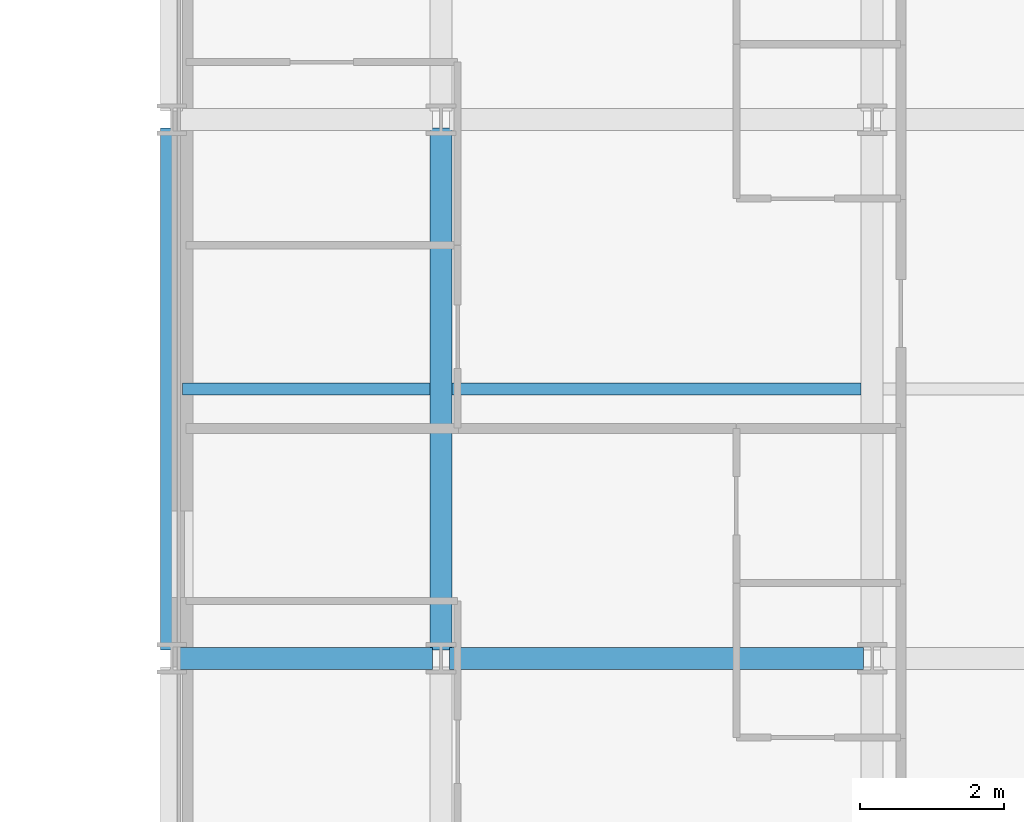
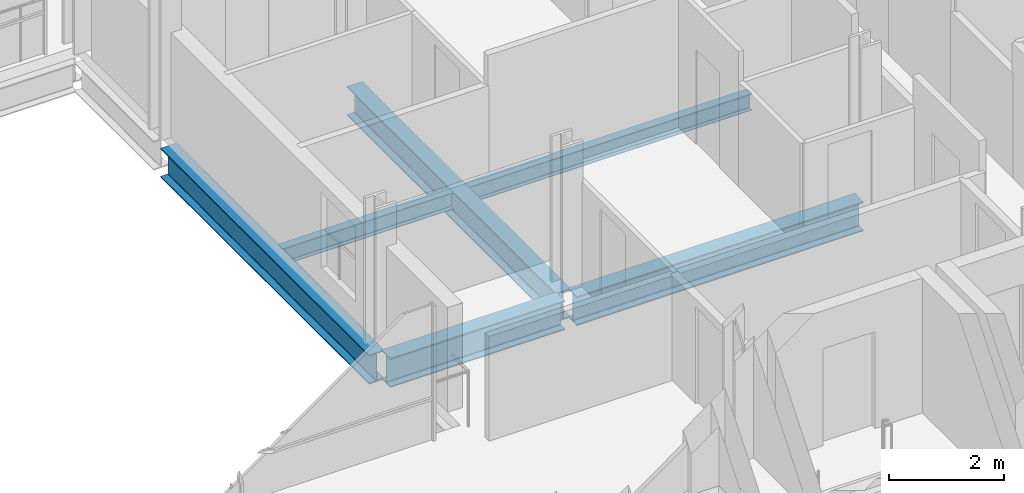
# One storey, part 16 of 40: 6 beams.
"""IFC4 building model written with IfcOpenShell, lengths in metres."""

from ifc_helpers import new_model, si_unit, direction, frame, origin, origin_2d, place, context, subcontext, project, spatial, i_section, extrude, material, material_profile, profile_set, type_object, element, save


model = new_model("IFC4")

# Units and contexts
model_context = context("Model", 3, precision=1e-05, world=origin(), true_north=direction((0.0, 1.0)))
body_context = subcontext(model_context, "Body", "Model", "MODEL_VIEW")
ifc_project = project(units=[si_unit("LENGTHUNIT", "METRE"), si_unit("AREAUNIT", "SQUARE_METRE"), si_unit("VOLUMEUNIT", "CUBIC_METRE"), si_unit("PLANEANGLEUNIT", "RADIAN"), si_unit("MASSUNIT", "GRAM", prefix="KILO")], contexts=[model_context])

# Site, building, storey
site_placement = place(None, origin())
site = spatial("IfcSite", under=ifc_project, at=site_placement, CompositionType="ELEMENT")
building_placement = place(site_placement, origin())
building = spatial("IfcBuilding", under=site, at=building_placement, Name="Brevholm Reach", CompositionType="ELEMENT")
storey_placement = place(building_placement, frame((0.0, 0.0, 80.699951171875)))
storey = spatial("IfcBuildingStorey", under=building, at=storey_placement, Name="L23", CompositionType="ELEMENT", Elevation=80.699951171875)

# Beams
ifc_material_1 = material(Name="Structural Steel S355J2", Category="steel")
ifc_material_profile_1 = material_profile(ifc_material_1, i_section(OverallWidth=0.17138671875, OverallDepth=0.35498046875, WebThickness=0.00732421875, FlangeThickness=0.011474609375, FilletRadius=0.01025390625, at=origin_2d()), Name="UKB 356x171x51")
ifc_profile_set_1 = profile_set([ifc_material_profile_1], Name="Structural Steel S355J2")
beam_type_1 = type_object("IfcBeamType", Name="BM-B356", PredefinedType="BEAM", material=ifc_profile_set_1)
beam_1_placement = place(storey_placement, frame((38.403564453125, 19.75, -0.407470703125), z_axis=(1.0, 0.0, 0.0), x_axis=(0.0, 1.0, 0.0)))
element("IfcBeam", 1, at=beam_1_placement, inside=storey, type_object=beam_type_1, Name="L23 Composite Secondary Floor Beam", PredefinedType="BEAM", context=body_context, shape_type="SweptSolid", body=[
    extrude(i_section(OverallWidth=0.17138671875, OverallDepth=0.35498046875, WebThickness=0.00732421875, FlangeThickness=0.011474609375, FilletRadius=0.01025390625, at=origin_2d()), origin(), (0.0, 0.0, 1.0), 3.44287109375),
])
beam_2_placement = place(storey_placement, frame((42.153564453125, 19.75, -0.407470703125), z_axis=(1.0, 0.0, 0.0), x_axis=(0.0, 1.0, 0.0)))
element("IfcBeam", 2, at=beam_2_placement, inside=storey, type_object=beam_type_1, Name="L23 Composite Secondary Floor Beam", PredefinedType="BEAM", context=body_context, shape_type="SweptSolid", body=[
    extrude(i_section(OverallWidth=0.17138671875, OverallDepth=0.35498046875, WebThickness=0.00732421875, FlangeThickness=0.011474609375, FilletRadius=0.01025390625, at=origin_2d()), origin(), (0.0, 0.0, 1.0), 5.69287109375),
])
ifc_material_2 = material(Name="Structural Steel S355J2", Category="steel")
ifc_material_profile_2 = material_profile(ifc_material_2, i_section(OverallWidth=0.30712890625, OverallDepth=0.6201171875, WebThickness=0.01416015625, FlangeThickness=0.023681640625, FilletRadius=0.0166015625, at=origin_2d()), Name="UKB 610x305x179")
ifc_profile_set_2 = profile_set([ifc_material_profile_2], Name="Structural Steel S355J2")
beam_type_2 = type_object("IfcBeamType", Name="BM-UKB610H", PredefinedType="USERDEFINED", material=ifc_profile_set_2)
beam_3_placement = place(storey_placement, frame((38.3701171875, 16.0, -0.5400390625), z_axis=(1.0, 0.0, 0.0), x_axis=(0.0, 1.0, 0.0)))
element("IfcBeam", 3, at=beam_3_placement, inside=storey, type_object=beam_type_2, Name="L23 G-06 Framing Beam", ObjectType="GIRDER", PredefinedType="USERDEFINED", context=body_context, shape_type="SweptSolid", body=[
    extrude(i_section(OverallWidth=0.30712890625, OverallDepth=0.6201171875, WebThickness=0.01416015625, FlangeThickness=0.023681640625, FilletRadius=0.0166015625, at=origin_2d()), origin(), (0.0, 0.0, 1.0), 3.509765625),
])
beam_4_placement = place(storey_placement, frame((42.1201171875, 16.0, -0.5400390625), z_axis=(1.0, 0.0, 0.0), x_axis=(0.0, 1.0, 0.0)))
element("IfcBeam", 4, at=beam_4_placement, inside=storey, type_object=beam_type_2, Name="L23 G-06 Framing Beam", ObjectType="GIRDER", PredefinedType="USERDEFINED", context=body_context, shape_type="SweptSolid", body=[
    extrude(i_section(OverallWidth=0.30712890625, OverallDepth=0.6201171875, WebThickness=0.01416015625, FlangeThickness=0.023681640625, FilletRadius=0.0166015625, at=origin_2d()), origin(), (0.0, 0.0, 1.0), 5.759765625),
])
for number, where, z_axis, x_axis, name in (
    (5, (38.25, 16.1201171875, -0.5400390625), (0.0, 1.0, 0.0), (-1.0, 0.0, 0.0), "L23 G-06 Framing Beam"),
    (6, (42.0, 16.1201171875, -0.5400390625), (0.0, 1.0, 0.0), (-1.0, 0.0, 0.0), "L23 G-06 Framing Beam"),
):
    element("IfcBeam", number, at=place(storey_placement, frame(where, z_axis=z_axis, x_axis=x_axis)), inside=storey, type_object=beam_type_2, Name=name, ObjectType="GIRDER", PredefinedType="USERDEFINED", context=body_context, shape_type="SweptSolid", body=[
        extrude(i_section(OverallWidth=0.30712890625, OverallDepth=0.6201171875, WebThickness=0.01416015625, FlangeThickness=0.023681640625, FilletRadius=0.0166015625, at=origin_2d()), origin(), (0.0, 0.0, 1.0), 7.259765625),
    ])

save(model, "model.ifc")
